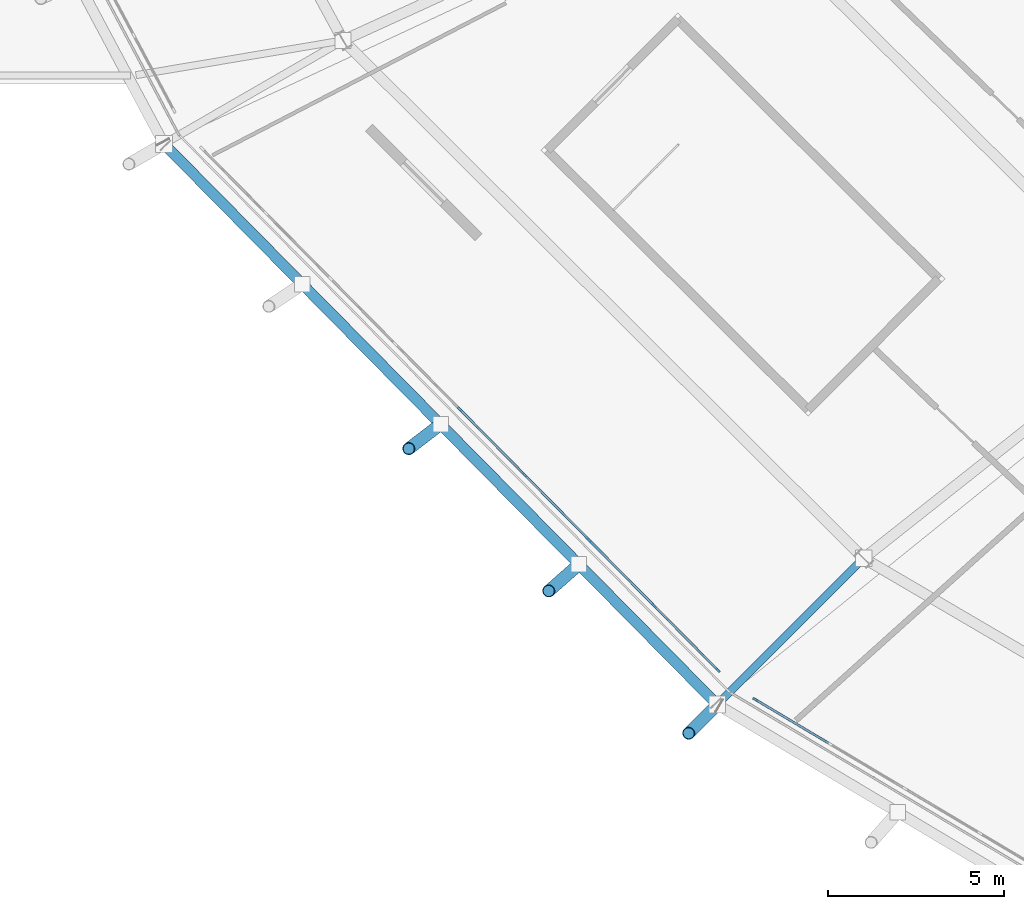
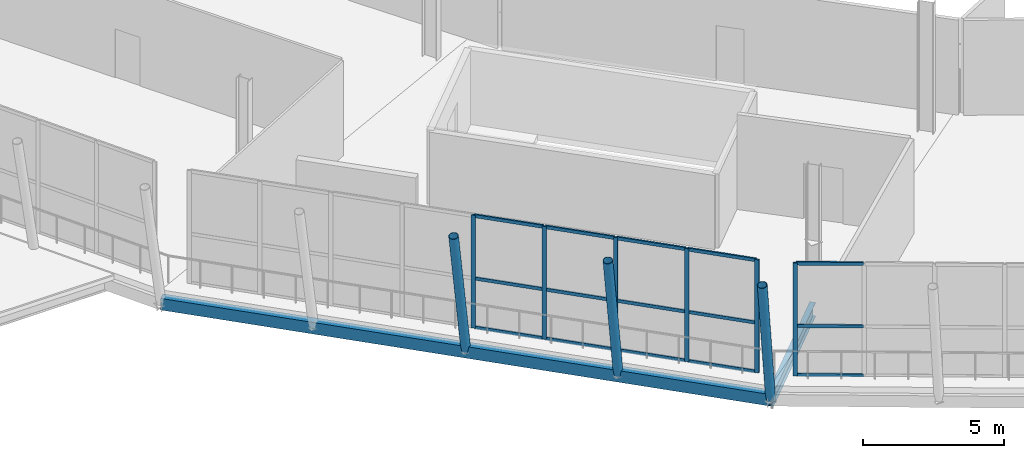
# One storey, part 12 of 99: 24 members, 2 beams, 2 elements without a shape of their own.
"""IFC4 building model written with IfcOpenShell, lengths in metres."""

from ifc_helpers import new_model, si_unit, direction, frame, origin, origin_2d, place, context, subcontext, project, spatial, rectangle, hollow_rectangle, hollow_circle, i_section, extrude, material, material_profile, profile_set, type_object, element, aggregate, save


model = new_model("IFC4")

# Units and contexts
model_context = context("Model", 3, precision=1e-05, world=origin(), true_north=direction((0.0, 1.0)))
body_context = subcontext(model_context, "Body", "Model", "MODEL_VIEW")
ifc_project = project(units=[si_unit("LENGTHUNIT", "METRE"), si_unit("AREAUNIT", "SQUARE_METRE"), si_unit("VOLUMEUNIT", "CUBIC_METRE"), si_unit("PLANEANGLEUNIT", "RADIAN"), si_unit("MASSUNIT", "GRAM", prefix="KILO")], contexts=[model_context])

# Site, building, storey
site_placement = place(None, origin())
site = spatial("IfcSite", under=ifc_project, at=site_placement, CompositionType="ELEMENT")
building_placement = place(site_placement, origin())
building = spatial("IfcBuilding", under=site, at=building_placement, Name="Zlatoyarsky Gate Stadium", CompositionType="ELEMENT")
storey_placement = place(building_placement, frame((0.0, 0.0, 26.199951171875)))
storey = spatial("IfcBuildingStorey", under=building, at=storey_placement, Name="L05", CompositionType="ELEMENT", Elevation=26.199951171875)

# Curtain wall, members
ifc_material_1 = material(Name="Thermally broken anodised aluminium curtain wall", Category="aluminium")
curtain_wall_type = type_object("IfcCurtainWallType", Name="UNITISED SKYBOX RING GLAZING L05", PredefinedType="USERDEFINED", material=ifc_material_1)
curtain_wall_1_placement = place(storey_placement, origin())
curtain_wall_1 = element("IfcCurtainWall", 1, at=curtain_wall_1_placement, inside=storey, type_object=curtain_wall_type, Name="Curtain wall CW-L05-14", ObjectType="UNITISED GLAZING", PredefinedType="USERDEFINED")
ifc_material_2 = material(Name="Anodised aluminium 6063-T6", Category="aluminium")
ifc_material_profile_1 = material_profile(ifc_material_2, rectangle(XDim=0.06494140625, YDim=0.159912109375, at=origin_2d()), Name="ALU 65X160")
ifc_profile_set_1 = profile_set([ifc_material_profile_1], Name="Anodised aluminium 6063-T6")
member_type_1 = type_object("IfcMemberType", Name="ALUMINIUM MULLION 65X160", PredefinedType="MULLION", material=ifc_profile_set_1)
member_1_placement = place(storey_placement, frame((33.7763671875, 34.0224609375, 0.0), z_axis=(0.0, 0.0, 1.0), x_axis=(0.711035710587, 0.70315589898, 0.0)))
member_1 = element("IfcMember", 2, at=member_1_placement, type_object=member_type_1, Name="CW-UG5 mullion 5", PredefinedType="MULLION", context=body_context, shape_type="SweptSolid", body=[
    extrude(rectangle(XDim=0.06494140625, YDim=0.159912109375, at=origin_2d()), origin(), (0.0, 0.0, 1.0), 4.880126953125),
])
member_2_placement = place(storey_placement, frame((35.612548828125, 32.165771484375, 0.0), z_axis=(0.0, 0.0, 1.0), x_axis=(0.711035710587, 0.70315589898, 0.0)))
member_2 = element("IfcMember", 3, at=member_2_placement, type_object=member_type_1, Name="CW-UG5 mullion 6", PredefinedType="MULLION", context=body_context, shape_type="SweptSolid", body=[
    extrude(rectangle(XDim=0.06494140625, YDim=0.159912109375, at=origin_2d()), origin(), (0.0, 0.0, 1.0), 4.880126953125),
])
member_3_placement = place(storey_placement, frame((37.448486328125, 30.309326171875, 0.0), z_axis=(0.0, 0.0, 1.0), x_axis=(0.711035710587, 0.70315589898, 0.0)))
member_3 = element("IfcMember", 4, at=member_3_placement, type_object=member_type_1, Name="CW-UG5 mullion 7", PredefinedType="MULLION", context=body_context, shape_type="SweptSolid", body=[
    extrude(rectangle(XDim=0.06494140625, YDim=0.159912109375, at=origin_2d()), origin(), (0.0, 0.0, 1.0), 4.880126953125),
])
member_4_placement = place(storey_placement, frame((39.284423828125, 28.45263671875, 0.0), z_axis=(0.0, 0.0, 1.0), x_axis=(0.711035710587, 0.70315589898, 0.0)))
member_4 = element("IfcMember", 5, at=member_4_placement, type_object=member_type_1, Name="CW-UG5 mullion 8", PredefinedType="MULLION", context=body_context, shape_type="SweptSolid", body=[
    extrude(rectangle(XDim=0.06494140625, YDim=0.159912109375, at=origin_2d()), origin(), (0.0, 0.0, 1.0), 4.880126953125),
])
member_5_placement = place(storey_placement, frame((41.09765625, 26.619140625, 0.0), z_axis=(0.0, 0.0, 1.0), x_axis=(0.711035710587, 0.70315589898, 0.0)))
member_5 = element("IfcMember", 6, at=member_5_placement, type_object=member_type_1, Name="CW-UG5 mullion 9", PredefinedType="MULLION", context=body_context, shape_type="SweptSolid", body=[
    extrude(rectangle(XDim=0.06494140625, YDim=0.159912109375, at=origin_2d()), origin(), (0.0, 0.0, 1.0), 4.880126953125),
])

# Curtain wall, member
curtain_wall_2_placement = place(storey_placement, origin())
curtain_wall_2 = element("IfcCurtainWall", 7, at=curtain_wall_2_placement, inside=storey, type_object=curtain_wall_type, Name="Curtain wall CW-L05-15", ObjectType="UNITISED GLAZING", PredefinedType="USERDEFINED")
member_6_placement = place(storey_placement, frame((42.1640625, 25.78466796875, 0.0), z_axis=(0.0, 0.0, 1.0), x_axis=(0.511577166542, 0.859237337802, 0.0)))
member_6 = element("IfcMember", 8, at=member_6_placement, type_object=member_type_1, Name="CW-UG5 mullion 1", PredefinedType="MULLION", context=body_context, shape_type="SweptSolid", body=[
    extrude(rectangle(XDim=0.06494140625, YDim=0.159912109375, at=origin_2d()), origin(), (0.0, 0.0, 1.0), 4.880126953125),
])

# Member
ifc_material_profile_2 = material_profile(ifc_material_2, rectangle(XDim=0.06494140625, YDim=0.139892578125, at=origin_2d()), Name="ALU 65X140")
ifc_profile_set_2 = profile_set([ifc_material_profile_2], Name="Anodised aluminium 6063-T6")
member_type_2 = type_object("IfcMemberType", Name="ALUMINIUM TRANSOM 65X140", PredefinedType="USERDEFINED", material=ifc_profile_set_2)
member_7_placement = place(storey_placement, frame((33.79931640625, 33.999267578125, 0.032470703125), z_axis=(0.7031643449, -0.711027358166, 0.0), x_axis=(0.711027358166, 0.7031643449, 0.0)))
member_7 = element("IfcMember", 9, at=member_7_placement, type_object=member_type_2, Name="CW-UG5 transom 5.1", ObjectType="TRANSOM", PredefinedType="USERDEFINED", context=body_context, shape_type="SweptSolid", body=[
    extrude(rectangle(XDim=0.06494140625, YDim=0.139892578125, at=origin_2d()), origin(), (0.0, 0.0, 1.0), 2.546142578125),
])

member_8_placement = place(storey_placement, frame((33.79931640625, 33.999267578125, 2.150146484375), z_axis=(0.7031643449, -0.711027358166, 0.0), x_axis=(0.711027358166, 0.7031643449, 0.0)))
member_8 = element("IfcMember", 10, at=member_8_placement, type_object=member_type_2, Name="CW-UG5 transom 5.2", ObjectType="TRANSOM", PredefinedType="USERDEFINED", context=body_context, shape_type="SweptSolid", body=[
    extrude(rectangle(XDim=0.06494140625, YDim=0.139892578125, at=origin_2d()), origin(), (0.0, 0.0, 1.0), 2.546142578125),
])

member_9_placement = place(storey_placement, frame((33.79931640625, 33.999267578125, 4.84765625), z_axis=(0.7031643449, -0.711027358166, 0.0), x_axis=(0.711027358166, 0.7031643449, 0.0)))
member_9 = element("IfcMember", 11, at=member_9_placement, type_object=member_type_2, Name="CW-UG5 transom 5.3", ObjectType="TRANSOM", PredefinedType="USERDEFINED", context=body_context, shape_type="SweptSolid", body=[
    extrude(rectangle(XDim=0.06494140625, YDim=0.139892578125, at=origin_2d()), origin(), (0.0, 0.0, 1.0), 2.546142578125),
])

member_10_placement = place(storey_placement, frame((35.63525390625, 32.142822265625, 0.032470703125), z_axis=(0.703116404332, -0.711074765379, 0.0), x_axis=(0.711074765379, 0.703116404332, 0.0)))
member_10 = element("IfcMember", 12, at=member_10_placement, type_object=member_type_2, Name="CW-UG5 transom 6.1", ObjectType="TRANSOM", PredefinedType="USERDEFINED", context=body_context, shape_type="SweptSolid", body=[
    extrude(rectangle(XDim=0.06494140625, YDim=0.139892578125, at=origin_2d()), origin(), (0.0, 0.0, 1.0), 2.546142578125),
])

member_11_placement = place(storey_placement, frame((35.63525390625, 32.142822265625, 2.150146484375), z_axis=(0.703116404332, -0.711074765379, 0.0), x_axis=(0.711074765379, 0.703116404332, 0.0)))
member_11 = element("IfcMember", 13, at=member_11_placement, type_object=member_type_2, Name="CW-UG5 transom 6.2", ObjectType="TRANSOM", PredefinedType="USERDEFINED", context=body_context, shape_type="SweptSolid", body=[
    extrude(rectangle(XDim=0.06494140625, YDim=0.139892578125, at=origin_2d()), origin(), (0.0, 0.0, 1.0), 2.546142578125),
])

member_12_placement = place(storey_placement, frame((35.63525390625, 32.142822265625, 4.84765625), z_axis=(0.703116404332, -0.711074765379, 0.0), x_axis=(0.711074765379, 0.703116404332, 0.0)))
member_12 = element("IfcMember", 14, at=member_12_placement, type_object=member_type_2, Name="CW-UG5 transom 6.3", ObjectType="TRANSOM", PredefinedType="USERDEFINED", context=body_context, shape_type="SweptSolid", body=[
    extrude(rectangle(XDim=0.06494140625, YDim=0.139892578125, at=origin_2d()), origin(), (0.0, 0.0, 1.0), 2.546142578125),
])

member_13_placement = place(storey_placement, frame((37.471435546875, 30.2861328125, 0.032470703125), z_axis=(0.7031643449, -0.711027358166, 0.0), x_axis=(0.711027358166, 0.7031643449, 0.0)))
member_13 = element("IfcMember", 15, at=member_13_placement, type_object=member_type_2, Name="CW-UG5 transom 7.1", ObjectType="TRANSOM", PredefinedType="USERDEFINED", context=body_context, shape_type="SweptSolid", body=[
    extrude(rectangle(XDim=0.06494140625, YDim=0.139892578125, at=origin_2d()), origin(), (0.0, 0.0, 1.0), 2.546142578125),
])

member_14_placement = place(storey_placement, frame((37.471435546875, 30.2861328125, 2.150146484375), z_axis=(0.7031643449, -0.711027358166, 0.0), x_axis=(0.711027358166, 0.7031643449, 0.0)))
member_14 = element("IfcMember", 16, at=member_14_placement, type_object=member_type_2, Name="CW-UG5 transom 7.2", ObjectType="TRANSOM", PredefinedType="USERDEFINED", context=body_context, shape_type="SweptSolid", body=[
    extrude(rectangle(XDim=0.06494140625, YDim=0.139892578125, at=origin_2d()), origin(), (0.0, 0.0, 1.0), 2.546142578125),
])

member_15_placement = place(storey_placement, frame((37.471435546875, 30.2861328125, 4.84765625), z_axis=(0.7031643449, -0.711027358166, 0.0), x_axis=(0.711027358166, 0.7031643449, 0.0)))
member_15 = element("IfcMember", 17, at=member_15_placement, type_object=member_type_2, Name="CW-UG5 transom 7.3", ObjectType="TRANSOM", PredefinedType="USERDEFINED", context=body_context, shape_type="SweptSolid", body=[
    extrude(rectangle(XDim=0.06494140625, YDim=0.139892578125, at=origin_2d()), origin(), (0.0, 0.0, 1.0), 2.546142578125),
])

member_16_placement = place(storey_placement, frame((39.307373046875, 28.4296875, 0.032470703125), z_axis=(0.703113298476, -0.711077836461, 0.0), x_axis=(0.711077836461, 0.703113298476, 0.0)))
member_16 = element("IfcMember", 18, at=member_16_placement, type_object=member_type_2, Name="CW-UG5 transom 8.1", ObjectType="TRANSOM", PredefinedType="USERDEFINED", context=body_context, shape_type="SweptSolid", body=[
    extrude(rectangle(XDim=0.06494140625, YDim=0.139892578125, at=origin_2d()), origin(), (0.0, 0.0, 1.0), 2.513671875),
])

member_17_placement = place(storey_placement, frame((39.307373046875, 28.4296875, 2.150146484375), z_axis=(0.703113298476, -0.711077836461, 0.0), x_axis=(0.711077836461, 0.703113298476, 0.0)))
member_17 = element("IfcMember", 19, at=member_17_placement, type_object=member_type_2, Name="CW-UG5 transom 8.2", ObjectType="TRANSOM", PredefinedType="USERDEFINED", context=body_context, shape_type="SweptSolid", body=[
    extrude(rectangle(XDim=0.06494140625, YDim=0.139892578125, at=origin_2d()), origin(), (0.0, 0.0, 1.0), 2.513671875),
])

member_18_placement = place(storey_placement, frame((39.307373046875, 28.4296875, 4.84765625), z_axis=(0.703113298476, -0.711077836461, 0.0), x_axis=(0.711077836461, 0.703113298476, 0.0)))
member_18 = element("IfcMember", 20, at=member_18_placement, type_object=member_type_2, Name="CW-UG5 transom 8.3", ObjectType="TRANSOM", PredefinedType="USERDEFINED", context=body_context, shape_type="SweptSolid", body=[
    extrude(rectangle(XDim=0.06494140625, YDim=0.139892578125, at=origin_2d()), origin(), (0.0, 0.0, 1.0), 2.513671875),
])

aggregate(curtain_wall_1, [member_1, member_2, member_3, member_4, member_5, member_7, member_8, member_9, member_10, member_11, member_12, member_13, member_14, member_15, member_16, member_17, member_18])

member_19_placement = place(storey_placement, frame((42.19189453125, 25.76806640625, 0.032470703125), z_axis=(0.859283253325, -0.511500039644, 0.0), x_axis=(0.511500039644, 0.859283253325, 0.0)))
member_19 = element("IfcMember", 21, at=member_19_placement, type_object=member_type_2, Name="CW-UG5 transom 1.1", ObjectType="TRANSOM", PredefinedType="USERDEFINED", context=body_context, shape_type="SweptSolid", body=[
    extrude(rectangle(XDim=0.06494140625, YDim=0.139892578125, at=origin_2d()), origin(), (0.0, 0.0, 1.0), 2.387451171875),
])

member_20_placement = place(storey_placement, frame((42.19189453125, 25.76806640625, 2.150146484375), z_axis=(0.859283253325, -0.511500039644, 0.0), x_axis=(0.511500039644, 0.859283253325, 0.0)))
member_20 = element("IfcMember", 22, at=member_20_placement, type_object=member_type_2, Name="CW-UG5 transom 1.2", ObjectType="TRANSOM", PredefinedType="USERDEFINED", context=body_context, shape_type="SweptSolid", body=[
    extrude(rectangle(XDim=0.06494140625, YDim=0.139892578125, at=origin_2d()), origin(), (0.0, 0.0, 1.0), 2.387451171875),
])

member_21_placement = place(storey_placement, frame((42.19189453125, 25.76806640625, 4.84765625), z_axis=(0.859283253325, -0.511500039644, 0.0), x_axis=(0.511500039644, 0.859283253325, 0.0)))
member_21 = element("IfcMember", 23, at=member_21_placement, type_object=member_type_2, Name="CW-UG5 transom 1.3", ObjectType="TRANSOM", PredefinedType="USERDEFINED", context=body_context, shape_type="SweptSolid", body=[
    extrude(rectangle(XDim=0.06494140625, YDim=0.139892578125, at=origin_2d()), origin(), (0.0, 0.0, 1.0), 2.387451171875),
])

aggregate(curtain_wall_2, [member_6, member_19, member_20, member_21])

# Beam
ifc_material_3 = material(Name="Steel S355", Category="steel")
ifc_material_profile_3 = material_profile(ifc_material_3, i_section(OverallWidth=0.219970703125, OverallDepth=0.60009765625, WebThickness=0.011962890625, FlangeThickness=0.01904296875, FilletRadius=0.02392578125, at=origin_2d()), Name="IPE 600")
ifc_profile_set_3 = profile_set([ifc_material_profile_3], Name="Steel S355")
beam_type_1 = type_object("IfcBeamType", Name="STEEL CANTILEVER FLOOR BEAM IPE 600", PredefinedType="BEAM", material=ifc_profile_set_3)
beam_1_placement = place(storey_placement, frame((45.154296875, 29.71044921875, -0.56005859375), z_axis=(-0.707127980293, -0.707085581445, 0.0), x_axis=(0.707085581445, -0.707127980293, 0.0)))
element("IfcBeam", 24, at=beam_1_placement, inside=storey, type_object=beam_type_1, Name="Beam B-IPE600 BM-L05-OUT-15", PredefinedType="BEAM", context=body_context, shape_type="SweptSolid", body=[
    extrude(i_section(OverallWidth=0.219970703125, OverallDepth=0.60009765625, WebThickness=0.011962890625, FlangeThickness=0.01904296875, FilletRadius=0.02392578125, at=origin_2d()), origin(), (0.0, 0.0, 1.0), 5.75830078125),
])

# Members
ifc_material_profile_4 = material_profile(ifc_material_3, hollow_circle(Radius=0.177734375, WallThickness=0.02001953125, at=origin_2d()), Name="CHS 355.6X20")
ifc_profile_set_4 = profile_set([ifc_material_profile_4], Name="Steel S355")
member_type_3 = type_object("IfcMemberType", Name="STEEL LEANING RIB RING STRUT CHS 355.6X20", PredefinedType="STRUT", material=ifc_profile_set_4)
member_22_placement = place(storey_placement, frame((33.225830078125, 33.60009765625, -0.510009765625), z_axis=(-0.156580017913, -0.120172943804, 0.98032706867), x_axis=(0.608840732875, -0.793292481997, 0.0)))
element("IfcMember", 25, at=member_22_placement, inside=storey, type_object=member_type_3, Name="Outward-leaning bowl louvre fin rib L05 14-2", PredefinedType="STRUT", context=body_context, shape_type="SweptSolid", body=[
    extrude(hollow_circle(Radius=0.177734375, WallThickness=0.02001953125, at=origin_2d()), origin(), (0.0, 0.0, 1.0), 5.773681640625),
])
member_23_placement = place(storey_placement, frame((37.154296875, 29.619384765625, -0.510009765625), z_axis=(-0.14870213522, -0.130436760635, 0.98024176939), x_axis=(0.659427221698, -0.751768408011, 0.0)))
element("IfcMember", 26, at=member_23_placement, inside=storey, type_object=member_type_3, Name="Outward-leaning bowl louvre fin rib L05 14-3", PredefinedType="STRUT", context=body_context, shape_type="SweptSolid", body=[
    extrude(hollow_circle(Radius=0.177734375, WallThickness=0.02001953125, at=origin_2d()), origin(), (0.0, 0.0, 1.0), 5.774169921875),
])
member_24_placement = place(storey_placement, frame((41.08251953125, 25.638916015625, -0.56005859375), z_axis=(-0.139533217798, -0.139533217798, 0.980337167643), x_axis=(0.707106781187, -0.707106781187, 0.0)))
element("IfcMember", 27, at=member_24_placement, inside=storey, type_object=member_type_3, Name="Upper leaning rib ring strut 15", PredefinedType="STRUT", context=body_context, shape_type="SweptSolid", body=[
    extrude(hollow_circle(Radius=0.177734375, WallThickness=0.02001953125, at=origin_2d()), origin(), (0.0, 0.0, 1.0), 5.82470703125),
])

# Beam
ifc_material_profile_5 = material_profile(ifc_material_3, hollow_rectangle(XDim=0.300048828125, YDim=0.5, WallThickness=0.02001953125, at=origin_2d()), Name="RHS 500X300X20")
ifc_profile_set_5 = profile_set([ifc_material_profile_5], Name="Steel S355")
beam_type_2 = type_object("IfcBeamType", Name="STEEL LOUVRE CARRIER SPANDREL RHS 500X300X20", PredefinedType="SPANDREL", material=ifc_profile_set_5)
beam_2_placement = place(storey_placement, frame((25.383056640625, 41.546875, -0.510009765625), z_axis=(0.702433914239, -0.711748969881, 0.0), x_axis=(0.711748969881, 0.702433914239, 0.0)))
element("IfcBeam", 28, at=beam_2_placement, inside=storey, type_object=beam_type_2, Name="Beam SP-RHS500 BM-L05-SPD-14", PredefinedType="SPANDREL", context=body_context, shape_type="SweptSolid", body=[
    extrude(hollow_rectangle(XDim=0.300048828125, YDim=0.5, WallThickness=0.02001953125, at=origin_2d()), origin(), (0.0, 0.0, 1.0), 22.330322265625),
])

save(model, "model.ifc")
